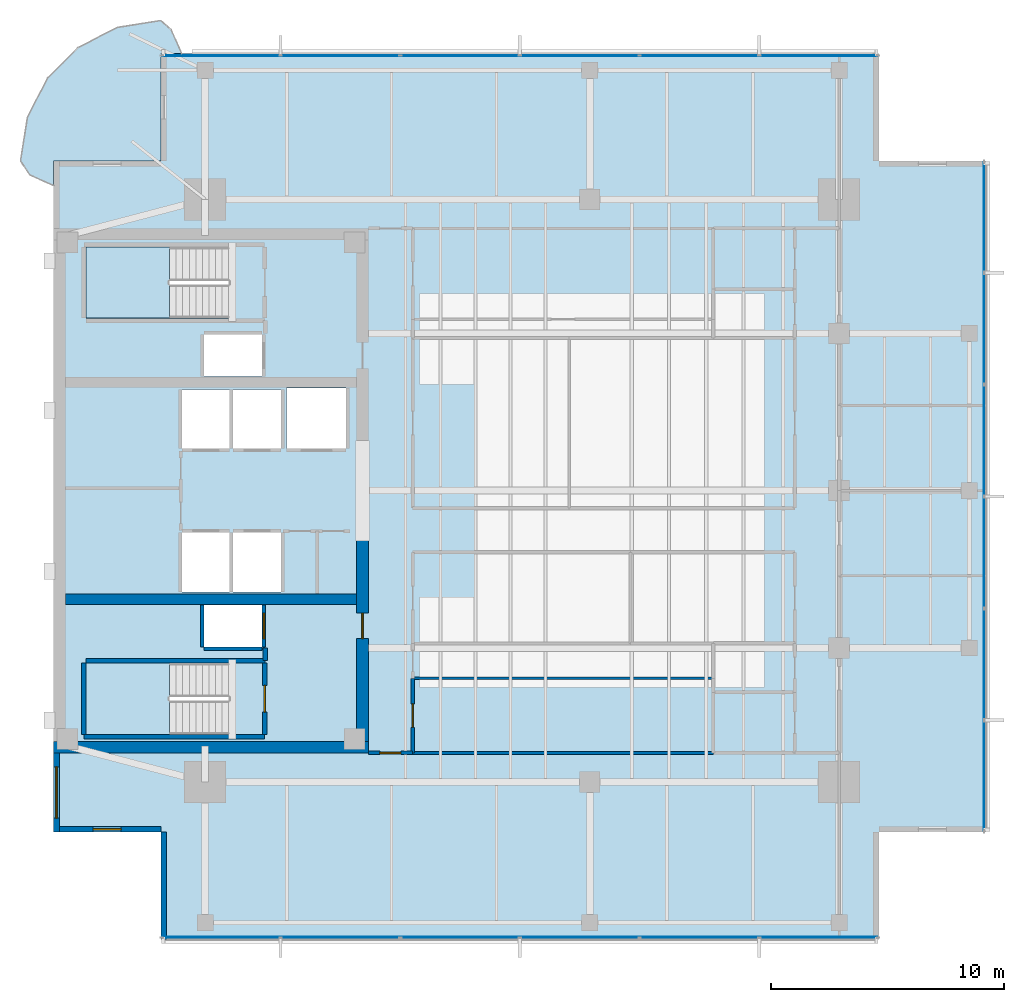
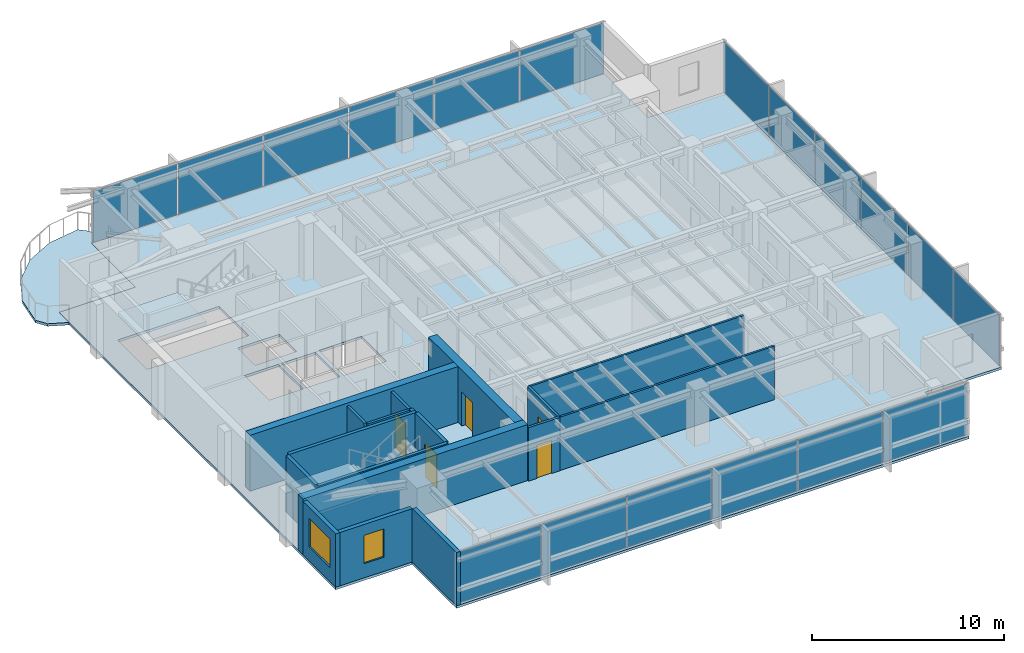
# One storey, part 7 of 14: 18 plates, 18 walls, 5 doors, 4 slabs, 2 windows, 7 openings, 5 elements without a shape of their own.
"""IFC4 building model written with IfcOpenShell, lengths in metres."""

from ifc_helpers import new_model, si_unit, direction, frame, frame_2d, origin, origin_2d, place, context, subcontext, project, spatial, polyline, rectangle, outline, extrude, material, layer, layer_set, type_object, element, fill, aggregate, save


model = new_model("IFC4")

# Units and contexts
model_context = context("Model", 3, precision=1e-05, world=origin(), true_north=direction((0.0, 1.0)))
body_context = subcontext(model_context, "Body", "Model", "MODEL_VIEW")
ifc_project = project(units=[si_unit("LENGTHUNIT", "METRE"), si_unit("AREAUNIT", "SQUARE_METRE"), si_unit("VOLUMEUNIT", "CUBIC_METRE"), si_unit("PLANEANGLEUNIT", "RADIAN"), si_unit("MASSUNIT", "GRAM", prefix="KILO")], contexts=[model_context])

# Site, building, storey
site_placement = place(None, origin())
site = spatial("IfcSite", under=ifc_project, at=site_placement, CompositionType="ELEMENT")
building_placement = place(site_placement, origin())
building = spatial("IfcBuilding", under=site, at=building_placement, Name="Kinhvarn Gate Tower", CompositionType="ELEMENT")
storey_placement = place(building_placement, frame((0.0, 0.0, 249.25)))
storey = spatial("IfcBuildingStorey", under=building, at=storey_placement, Name="L66", CompositionType="ELEMENT", Elevation=249.25)

# Curtain wall, plates
ifc_material_1 = material(Name="Anodised aluminium AW-6063", Category="aluminium")
ifc_layer_1 = layer(ifc_material_1, 0.179931640625)
ifc_layer_set_1 = layer_set([ifc_layer_1], Name="Anodised aluminium AW-6063")
curtain_wall_type = type_object("IfcCurtainWallType", Name="CW-SYS-3", PredefinedType="NOTDEFINED", material=ifc_layer_set_1)
curtain_wall_1_placement = place(storey_placement, origin())
curtain_wall_1 = element("IfcCurtainWall", 1, at=curtain_wall_1_placement, inside=storey, type_object=curtain_wall_type, Name="Curtain Wall CW3 (L66)", PredefinedType="NOTDEFINED")
ifc_material_2 = material(Name="Clear low-e double glazing", Category="glass")
ifc_layer_2 = layer(ifc_material_2, 0.031982421875)
ifc_layer_set_2 = layer_set([ifc_layer_2], Name="Clear low-e double glazing")
plate_type = type_object("IfcPlateType", Name="CW-PNL-VIS", PredefinedType="CURTAIN_PANEL", material=ifc_layer_set_2)
plate_1_placement = place(storey_placement, frame((11.682861328125, 6.090087890625, 0.070068359375), z_axis=(0.0, 0.0, 1.0), x_axis=(1.0, 0.0, 0.0)))
plate_1 = element("IfcPlate", 2, at=plate_1_placement, type_object=plate_type, Name="CW3 panel 1.1", PredefinedType="CURTAIN_PANEL", context=body_context, shape_type="SweptSolid", body=[
    extrude(rectangle(XDim=5.035888671875, YDim=0.031982421875, at=origin_2d()), origin(), (0.0, 0.0, 1.0), 3.25),
])
plate_2_placement = place(storey_placement, frame((16.800048828125, 6.090087890625, 0.070068359375), z_axis=(0.0, 0.0, 1.0), x_axis=(1.0, 0.0, 0.0)))
plate_2 = element("IfcPlate", 3, at=plate_2_placement, type_object=plate_type, Name="CW3 panel 2.1", PredefinedType="CURTAIN_PANEL", context=body_context, shape_type="SweptSolid", body=[
    extrude(rectangle(XDim=5.068359375, YDim=0.031982421875, at=origin_2d()), origin(), (0.0, 0.0, 1.0), 3.25),
])
plate_3_placement = place(storey_placement, frame((21.933349609375, 6.090087890625, 0.070068359375), z_axis=(0.0, 0.0, 1.0), x_axis=(1.0, 0.0, 0.0)))
plate_3 = element("IfcPlate", 4, at=plate_3_placement, type_object=plate_type, Name="CW3 panel 3.1", PredefinedType="CURTAIN_PANEL", context=body_context, shape_type="SweptSolid", body=[
    extrude(rectangle(XDim=5.068359375, YDim=0.031982421875, at=origin_2d()), origin(), (0.0, 0.0, 1.0), 3.25),
])
plate_4_placement = place(storey_placement, frame((27.066650390625, 6.090087890625, 0.070068359375), z_axis=(0.0, 0.0, 1.0), x_axis=(1.0, 0.0, 0.0)))
plate_4 = element("IfcPlate", 5, at=plate_4_placement, type_object=plate_type, Name="CW3 panel 4.1", PredefinedType="CURTAIN_PANEL", context=body_context, shape_type="SweptSolid", body=[
    extrude(rectangle(XDim=5.068359375, YDim=0.031982421875, at=origin_2d()), origin(), (0.0, 0.0, 1.0), 3.25),
])
plate_5_placement = place(storey_placement, frame((32.199951171875, 6.090087890625, 0.070068359375), z_axis=(0.0, 0.0, 1.0), x_axis=(1.0, 0.0, 0.0)))
plate_5 = element("IfcPlate", 6, at=plate_5_placement, type_object=plate_type, Name="CW3 panel 5.1", PredefinedType="CURTAIN_PANEL", context=body_context, shape_type="SweptSolid", body=[
    extrude(rectangle(XDim=5.068359375, YDim=0.031982421875, at=origin_2d()), origin(), (0.0, 0.0, 1.0), 3.25),
])
plate_6_placement = place(storey_placement, frame((37.317138671875, 6.090087890625, 0.070068359375), z_axis=(0.0, 0.0, 1.0), x_axis=(1.0, 0.0, 0.0)))
plate_6 = element("IfcPlate", 7, at=plate_6_placement, type_object=plate_type, Name="CW3 panel 6.1", PredefinedType="CURTAIN_PANEL", context=body_context, shape_type="SweptSolid", body=[
    extrude(rectangle(XDim=5.035888671875, YDim=0.031982421875, at=origin_2d()), origin(), (0.0, 0.0, 1.0), 3.25),
])
aggregate(curtain_wall_1, [plate_1, plate_2, plate_3, plate_4, plate_5, plate_6])

curtain_wall_2_placement = place(storey_placement, origin())
curtain_wall_2 = element("IfcCurtainWall", 8, at=curtain_wall_2_placement, inside=storey, type_object=curtain_wall_type, Name="Curtain Wall CW3 (L66)", PredefinedType="NOTDEFINED")
plate_7_placement = place(storey_placement, frame((37.317138671875, 43.909912109375, 0.070068359375), z_axis=(0.0, 0.0, 1.0), x_axis=(-1.0, 0.0, 0.0)))
plate_7 = element("IfcPlate", 9, at=plate_7_placement, type_object=plate_type, Name="CW3 panel 1.1", PredefinedType="CURTAIN_PANEL", context=body_context, shape_type="SweptSolid", body=[
    extrude(rectangle(XDim=5.035888671875, YDim=0.031982421875, at=origin_2d()), origin(), (0.0, 0.0, 1.0), 3.25),
])
plate_8_placement = place(storey_placement, frame((32.199951171875, 43.909912109375, 0.070068359375), z_axis=(0.0, 0.0, 1.0), x_axis=(-1.0, 0.0, 0.0)))
plate_8 = element("IfcPlate", 10, at=plate_8_placement, type_object=plate_type, Name="CW3 panel 2.1", PredefinedType="CURTAIN_PANEL", context=body_context, shape_type="SweptSolid", body=[
    extrude(rectangle(XDim=5.068359375, YDim=0.031982421875, at=origin_2d()), origin(), (0.0, 0.0, 1.0), 3.25),
])
plate_9_placement = place(storey_placement, frame((27.066650390625, 43.909912109375, 0.070068359375), z_axis=(0.0, 0.0, 1.0), x_axis=(-1.0, 0.0, 0.0)))
plate_9 = element("IfcPlate", 11, at=plate_9_placement, type_object=plate_type, Name="CW3 panel 3.1", PredefinedType="CURTAIN_PANEL", context=body_context, shape_type="SweptSolid", body=[
    extrude(rectangle(XDim=5.068359375, YDim=0.031982421875, at=origin_2d()), origin(), (0.0, 0.0, 1.0), 3.25),
])
plate_10_placement = place(storey_placement, frame((21.933349609375, 43.909912109375, 0.070068359375), z_axis=(0.0, 0.0, 1.0), x_axis=(-1.0, 0.0, 0.0)))
plate_10 = element("IfcPlate", 12, at=plate_10_placement, type_object=plate_type, Name="CW3 panel 4.1", PredefinedType="CURTAIN_PANEL", context=body_context, shape_type="SweptSolid", body=[
    extrude(rectangle(XDim=5.068359375, YDim=0.031982421875, at=origin_2d()), origin(), (0.0, 0.0, 1.0), 3.25),
])
plate_11_placement = place(storey_placement, frame((16.800048828125, 43.909912109375, 0.070068359375), z_axis=(0.0, 0.0, 1.0), x_axis=(-1.0, 0.0, 0.0)))
plate_11 = element("IfcPlate", 13, at=plate_11_placement, type_object=plate_type, Name="CW3 panel 5.1", PredefinedType="CURTAIN_PANEL", context=body_context, shape_type="SweptSolid", body=[
    extrude(rectangle(XDim=5.068359375, YDim=0.031982421875, at=origin_2d()), origin(), (0.0, 0.0, 1.0), 3.25),
])
plate_12_placement = place(storey_placement, frame((11.682861328125, 43.909912109375, 0.070068359375), z_axis=(0.0, 0.0, 1.0), x_axis=(-1.0, 0.0, 0.0)))
plate_12 = element("IfcPlate", 14, at=plate_12_placement, type_object=plate_type, Name="CW3 panel 6.1", PredefinedType="CURTAIN_PANEL", context=body_context, shape_type="SweptSolid", body=[
    extrude(rectangle(XDim=5.035888671875, YDim=0.031982421875, at=origin_2d()), origin(), (0.0, 0.0, 1.0), 3.25),
])
aggregate(curtain_wall_2, [plate_7, plate_8, plate_9, plate_10, plate_11, plate_12])

curtain_wall_3_placement = place(storey_placement, origin())
curtain_wall_3 = element("IfcCurtainWall", 15, at=curtain_wall_3_placement, inside=storey, type_object=curtain_wall_type, Name="Curtain Wall CW3 (L66)", PredefinedType="NOTDEFINED")
plate_13_placement = place(storey_placement, frame((44.409912109375, 13.016357421875, 0.070068359375), z_axis=(0.0, 0.0, 1.0), x_axis=(0.0, 1.0, 0.0)))
plate_13 = element("IfcPlate", 16, at=plate_13_placement, type_object=plate_type, Name="CW3 panel 1.1", PredefinedType="CURTAIN_PANEL", context=body_context, shape_type="SweptSolid", body=[
    extrude(rectangle(XDim=4.702392578125, YDim=0.031982421875, at=origin_2d()), origin(), (0.0, 0.0, 1.0), 3.25),
])
plate_14_placement = place(storey_placement, frame((44.409912109375, 17.800048828125, 0.070068359375), z_axis=(0.0, 0.0, 1.0), x_axis=(0.0, 1.0, 0.0)))
plate_14 = element("IfcPlate", 17, at=plate_14_placement, type_object=plate_type, Name="CW3 panel 2.1", PredefinedType="CURTAIN_PANEL", context=body_context, shape_type="SweptSolid", body=[
    extrude(rectangle(XDim=4.735107421875, YDim=0.031982421875, at=origin_2d()), origin(), (0.0, 0.0, 1.0), 3.25),
])
plate_15_placement = place(storey_placement, frame((44.409912109375, 22.60009765625, 0.070068359375), z_axis=(0.0, 0.0, 1.0), x_axis=(0.0, 1.0, 0.0)))
plate_15 = element("IfcPlate", 18, at=plate_15_placement, type_object=plate_type, Name="CW3 panel 3.1", PredefinedType="CURTAIN_PANEL", context=body_context, shape_type="SweptSolid", body=[
    extrude(rectangle(XDim=4.735107421875, YDim=0.031982421875, at=origin_2d()), origin(), (0.0, 0.0, 1.0), 3.25),
])
plate_16_placement = place(storey_placement, frame((44.409912109375, 27.39990234375, 0.070068359375), z_axis=(0.0, 0.0, 1.0), x_axis=(0.0, 1.0, 0.0)))
plate_16 = element("IfcPlate", 19, at=plate_16_placement, type_object=plate_type, Name="CW3 panel 4.1", PredefinedType="CURTAIN_PANEL", context=body_context, shape_type="SweptSolid", body=[
    extrude(rectangle(XDim=4.735107421875, YDim=0.031982421875, at=origin_2d()), origin(), (0.0, 0.0, 1.0), 3.25),
])
plate_17_placement = place(storey_placement, frame((44.409912109375, 32.199951171875, 0.070068359375), z_axis=(0.0, 0.0, 1.0), x_axis=(0.0, 1.0, 0.0)))
plate_17 = element("IfcPlate", 20, at=plate_17_placement, type_object=plate_type, Name="CW3 panel 5.1", PredefinedType="CURTAIN_PANEL", context=body_context, shape_type="SweptSolid", body=[
    extrude(rectangle(XDim=4.735107421875, YDim=0.031982421875, at=origin_2d()), origin(), (0.0, 0.0, 1.0), 3.25),
])
plate_18_placement = place(storey_placement, frame((44.409912109375, 36.983642578125, 0.070068359375), z_axis=(0.0, 0.0, 1.0), x_axis=(0.0, 1.0, 0.0)))
plate_18 = element("IfcPlate", 21, at=plate_18_placement, type_object=plate_type, Name="CW3 panel 6.1", PredefinedType="CURTAIN_PANEL", context=body_context, shape_type="SweptSolid", body=[
    extrude(rectangle(XDim=4.702392578125, YDim=0.031982421875, at=origin_2d()), origin(), (0.0, 0.0, 1.0), 3.25),
])
aggregate(curtain_wall_3, [plate_13, plate_14, plate_15, plate_16, plate_17, plate_18])

# Slabs
ifc_material_3 = material(Name="Precast white architectural concrete C40/50", Category="concrete")
ifc_layer_3 = layer(ifc_material_3, 0.159912109375)
ifc_layer_set_3 = layer_set([ifc_layer_3], Name="Precast white architectural concrete C40/50")
slab_type_1 = type_object("IfcSlabType", Name="SLB-BAL-160", PredefinedType="FLOOR", material=ifc_layer_set_3)
slab_1_placement = place(storey_placement, frame((0.0, 0.0, -0.159912109375)))
element("IfcSlab", 22, at=slab_1_placement, inside=storey, type_object=slab_type_1, Name="S-Carve Curved Terrace Balcony Slab L66 (NW)", PredefinedType="FLOOR", context=body_context, shape_type="SweptSolid", body=[
    extrude(outline(polyline([(9.991943359375, 44.0), (9.5419921875, 45.02099609375), (9.10009765625, 45.41796875), (7.240234375, 45.12353515625), (5.562744140625, 44.268798828125), (4.231201171875, 42.937255859375), (3.37646484375, 41.259765625), (3.08203125, 39.39990234375), (3.47900390625, 38.794921875), (4.5, 38.344970703125), (4.5, 39.39990234375), (9.10009765625, 39.39990234375), (9.10009765625, 44.0), (9.991943359375, 44.0)])), origin(), (0.0, 0.0, 1.0), 0.159912109375),
])
ifc_material_4 = material(Name="Concrete C40/50", Category="concrete")
ifc_layer_4 = layer(ifc_material_4, 0.159912109375)
ifc_layer_set_4 = layer_set([ifc_layer_4], Name="Concrete C40/50")
slab_type_2 = type_object("IfcSlabType", Name="SLB-FLR-160", PredefinedType="FLOOR", material=ifc_layer_set_4)
slab_2_placement = place(storey_placement, frame((0.0, 0.0, -0.159912109375)))
element("IfcSlab", 23, at=slab_2_placement, inside=storey, type_object=slab_type_2, Name="Suspended Floor Slab L66", PredefinedType="FLOOR", context=body_context, shape_type="SweptSolid", body=[
    extrude(outline(polyline([(9.10009765625, 6.0), (39.89990234375, 6.0), (39.89990234375, 10.60009765625), (44.5, 10.60009765625), (44.5, 39.39990234375), (39.89990234375, 39.39990234375), (39.89990234375, 44.0), (9.10009765625, 44.0), (9.10009765625, 39.39990234375), (4.5, 39.39990234375), (4.5, 10.60009765625), (9.10009765625, 10.60009765625), (9.10009765625, 6.0)]), holes=[polyline([(5.89990234375, 14.800048828125), (12.0, 14.800048828125), (12.0, 17.85009765625), (5.89990234375, 17.85009765625), (5.89990234375, 14.800048828125)]), polyline([(5.89990234375, 32.64990234375), (12.0, 32.64990234375), (12.0, 35.699951171875), (5.89990234375, 35.699951171875), (5.89990234375, 32.64990234375)]), polyline([(10.0, 20.89990234375), (12.050048828125, 20.89990234375), (12.050048828125, 23.449951171875), (10.0, 23.449951171875), (10.0, 20.89990234375)]), polyline([(12.199951171875, 20.89990234375), (14.25, 20.89990234375), (14.25, 23.449951171875), (12.199951171875, 23.449951171875), (12.199951171875, 20.89990234375)]), polyline([(10.0, 27.050048828125), (12.050048828125, 27.050048828125), (12.050048828125, 29.60009765625), (10.0, 29.60009765625), (10.0, 27.050048828125)]), polyline([(12.199951171875, 27.050048828125), (14.25, 27.050048828125), (14.25, 29.60009765625), (12.199951171875, 29.60009765625), (12.199951171875, 27.050048828125)]), polyline([(14.5, 27.050048828125), (17.050048828125, 27.050048828125), (17.050048828125, 29.64990234375), (14.5, 29.64990234375), (14.5, 27.050048828125)]), polyline([(10.949951171875, 18.550048828125), (13.449951171875, 18.550048828125), (13.449951171875, 20.35009765625), (10.949951171875, 20.35009765625), (10.949951171875, 18.550048828125)]), polyline([(10.949951171875, 30.14990234375), (13.449951171875, 30.14990234375), (13.449951171875, 31.949951171875), (10.949951171875, 31.949951171875), (10.949951171875, 30.14990234375)])]), origin(), (0.0, 0.0, 1.0), 0.159912109375),
])

# Stair, slab
stair_type = type_object("IfcStairType", Name="STR-DLG-178", PredefinedType="HALF_TURN_STAIR", material=ifc_material_4)
stair_1_placement = place(storey_placement, origin())
stair_1 = element("IfcStair", 24, at=stair_1_placement, inside=storey, type_object=stair_type, Name="L66 Core Smokeproof Exit Stair ST1", PredefinedType="HALF_TURN_STAIR")
ifc_layer_5 = layer(ifc_material_4, 0.199951171875)
ifc_layer_set_5 = layer_set([ifc_layer_5], Name="Concrete C40/50")
slab_type_3 = type_object("IfcSlabType", Name="SLB-ST-LND", PredefinedType="LANDING", material=ifc_layer_set_5)
slab_3_placement = place(storey_placement, frame((0.0, 0.0, 1.574951171875)))
slab_3 = element("IfcSlab", 25, at=slab_3_placement, type_object=slab_type_3, Name="ST1 landing 1", PredefinedType="LANDING", context=body_context, shape_type="SweptSolid", body=[
    extrude(outline(polyline([(9.47998046875, 17.85009765625), (5.89990234375, 17.85009765625), (5.89990234375, 14.800048828125), (9.47998046875, 14.800048828125), (9.47998046875, 17.85009765625)])), origin(), (0.0, 0.0, 1.0), 0.199951171875),
])
aggregate(stair_1, [slab_3])

stair_2_placement = place(storey_placement, origin())
stair_2 = element("IfcStair", 26, at=stair_2_placement, inside=storey, type_object=stair_type, Name="L66 Core Smokeproof Exit Stair ST2", PredefinedType="HALF_TURN_STAIR")
slab_4_placement = place(storey_placement, frame((0.0, 0.0, 1.574951171875)))
slab_4 = element("IfcSlab", 27, at=slab_4_placement, type_object=slab_type_3, Name="ST2 landing 1", PredefinedType="LANDING", context=body_context, shape_type="SweptSolid", body=[
    extrude(outline(polyline([(9.47998046875, 35.699951171875), (5.89990234375, 35.699951171875), (5.89990234375, 32.64990234375), (9.47998046875, 32.64990234375), (9.47998046875, 35.699951171875)])), origin(), (0.0, 0.0, 1.0), 0.199951171875),
])
aggregate(stair_2, [slab_4])

# Walls
ifc_material_5 = material(Name="Concrete C50/60", Category="concrete")
ifc_layer_6 = layer(ifc_material_5, 0.449951171875)
ifc_layer_set_6 = layer_set([ifc_layer_6], Name="Concrete C50/60")
wall_type_1 = type_object("IfcWallType", Name="WL-CORE-450", PredefinedType="SHEAR", material=ifc_layer_set_6)
wall_1_placement = place(storey_placement, frame((5.0, 20.60009765625, 0.0), z_axis=(0.0, 0.0, 1.0), x_axis=(1.0, 0.0, 0.0)))
element("IfcWall", 28, at=wall_1_placement, inside=storey, type_object=wall_type_1, Name="Core South Spine Shear Wall L66 450 mm", PredefinedType="SHEAR", context=body_context, shape_type="SweptSolid", body=[
    extrude(rectangle(XDim=12.5, YDim=0.449951171875, at=frame_2d((6.25, 0.0))), origin(), (0.0, 0.0, 1.0), 3.550048828125),
])
ifc_layer_7 = layer(ifc_material_5, 0.5)
ifc_layer_set_7 = layer_set([ifc_layer_7], Name="Concrete C50/60")
wall_type_2 = type_object("IfcWallType", Name="WL-CORE-500", PredefinedType="SHEAR", material=ifc_layer_set_7)
wall_2_placement = place(storey_placement, frame((4.5, 14.25, 0.0), z_axis=(0.0, 0.0, 1.0), x_axis=(1.0, 0.0, 0.0)))
element("IfcWall", 29, at=wall_2_placement, inside=storey, type_object=wall_type_2, Name="Core South Shear Wall L66 500 mm", PredefinedType="SHEAR", context=body_context, shape_type="SweptSolid", body=[
    extrude(rectangle(XDim=13.5, YDim=0.5, at=frame_2d((6.75, 0.0))), origin(), (0.0, 0.0, 1.0), 3.550048828125),
])

# Wall, opening, door
wall_3_placement = place(storey_placement, frame((17.75, 14.5, 0.0), z_axis=(0.0, 0.0, 1.0), x_axis=(0.0, 1.0, 0.0)))
wall_3 = element("IfcWall", 30, at=wall_3_placement, inside=storey, type_object=wall_type_2, Name="Core East-South Shear Pier L66 500 mm", PredefinedType="SHEAR", context=body_context, shape_type="SweptSolid", body=[
    extrude(rectangle(XDim=8.949951171875, YDim=0.5, at=frame_2d((4.47509765625, 0.0))), origin(), (0.0, 0.0, 1.0), 3.550048828125),
])
opening_1_placement = place(wall_3_placement, frame((4.39990234375, 0.0, 0.0)))
opening_1 = element("IfcOpeningElement", 31, at=opening_1_placement, cuts=wall_3, Name="Opening FD-02", PredefinedType="OPENING", context=body_context, shape_type="SweptSolid", body=[
    extrude(rectangle(XDim=1.10009765625, YDim=2.14990234375, at=frame_2d((0.550048828125, 1.074951171875))), frame((0.0, 0.260009765625, 0.0), z_axis=(0.0, -1.0, 0.0), x_axis=(1.0, 0.0, 0.0)), (0.0, 0.0, 1.0), 0.52001953125),
])
door_type_1 = type_object("IfcDoorType", Name="DR-FD-1100", OperationType="NOTDEFINED", PredefinedType="DOOR", material=ifc_material_1)
door_1_placement = place(opening_1_placement, origin())
door_1 = element("IfcDoor", 32, at=door_1_placement, inside=storey, type_object=door_type_1, Name="Firefighting Lobby Core Door (L66)", OperationType="SINGLE_SWING_RIGHT", OverallHeight=2.14990234375, OverallWidth=1.10009765625, PredefinedType="DOOR", context=body_context, shape_type="SweptSolid", body=[
    extrude(rectangle(XDim=1.10009765625, YDim=2.14990234375, at=frame_2d((0.550048828125, 1.074951171875))), frame((0.0, 0.02490234375, 0.0), z_axis=(0.0, -1.0, 0.0), x_axis=(1.0, 0.0, 0.0)), (0.0, 0.0, 1.0), 0.050048828125),
])
fill(opening_1, door_1)

# Wall, opening, window
ifc_material_6 = material(Name="Fired architectural terracotta", Category="masonry")
ifc_layer_8 = layer(ifc_material_6, 0.25)
ifc_layer_set_8 = layer_set([ifc_layer_8], Name="Fired architectural terracotta")
wall_type_3 = type_object("IfcWallType", Name="WL-EXT-250", PredefinedType="SOLIDWALL", material=ifc_layer_set_8)
wall_4_placement = place(storey_placement, frame((4.625, 14.0, 0.0), z_axis=(0.0, 0.0, 1.0), x_axis=(0.0, -1.0, 0.0)))
wall_4 = element("IfcWall", 33, at=wall_4_placement, inside=storey, type_object=wall_type_3, Name="Exterior Solidwall Wall EW-250 (L66 West-South)", PredefinedType="SOLIDWALL", context=body_context, shape_type="SweptSolid", body=[
    extrude(rectangle(XDim=3.39990234375, YDim=0.25, at=frame_2d((1.699951171875, 0.0))), origin(), (0.0, 0.0, 1.0), 3.389892578125),
])
opening_2_placement = place(wall_4_placement, frame((0.60009765625, 0.0, 0.89990234375)))
opening_2 = element("IfcOpeningElement", 34, at=opening_2_placement, cuts=wall_4, Name="Opening WN-01", PredefinedType="OPENING", context=body_context, shape_type="SweptSolid", body=[
    extrude(rectangle(XDim=2.199951171875, YDim=1.800048828125, at=frame_2d((1.10009765625, 0.89990234375))), frame((0.0, 0.135009765625, 0.0), z_axis=(0.0, -1.0, 0.0), x_axis=(1.0, 0.0, 0.0)), (0.0, 0.0, 1.0), 0.27001953125),
])
window_type_1 = type_object("IfcWindowType", Name="WIN-RIB-2200", PartitioningType="SINGLE_PANEL", PredefinedType="WINDOW", material=ifc_material_2)
window_1_placement = place(opening_2_placement, origin())
window_1 = element("IfcWindow", 35, at=window_1_placement, inside=storey, type_object=window_type_1, Name="West Flank Double-Glazed Ribbon Window 2200x1800 mm (L66)", OverallHeight=1.800048828125, OverallWidth=2.199951171875, PartitioningType="SINGLE_PANEL", PredefinedType="WINDOW", context=body_context, shape_type="SweptSolid", body=[
    extrude(rectangle(XDim=2.199951171875, YDim=1.800048828125, at=frame_2d((1.10009765625, 0.89990234375))), frame((0.0, 0.030029296875, 0.0), z_axis=(0.0, -1.0, 0.0), x_axis=(1.0, 0.0, 0.0)), (0.0, 0.0, 1.0), 0.06005859375),
])
fill(opening_2, window_1)

wall_5_placement = place(storey_placement, frame((4.5, 10.72509765625, 0.0), z_axis=(0.0, 0.0, 1.0), x_axis=(1.0, 0.0, 0.0)))
wall_5 = element("IfcWall", 36, at=wall_5_placement, inside=storey, type_object=wall_type_3, Name="Exterior Solidwall Wall EW-250 (L66 SW-Notch-1)", PredefinedType="SOLIDWALL", context=body_context, shape_type="SweptSolid", body=[
    extrude(rectangle(XDim=4.60009765625, YDim=0.25, at=frame_2d((2.300048828125, 0.0))), origin(), (0.0, 0.0, 1.0), 3.389892578125),
])
opening_3_placement = place(wall_5_placement, frame((1.699951171875, 0.0, 0.89990234375)))
opening_3 = element("IfcOpeningElement", 37, at=opening_3_placement, cuts=wall_5, Name="Opening WN-02", PredefinedType="OPENING", context=body_context, shape_type="SweptSolid", body=[
    extrude(rectangle(XDim=1.199951171875, YDim=1.800048828125, at=frame_2d((0.60009765625, 0.89990234375))), frame((0.0, 0.135009765625, 0.0), z_axis=(0.0, -1.0, 0.0), x_axis=(1.0, 0.0, 0.0)), (0.0, 0.0, 1.0), 0.27001953125),
])
window_type_2 = type_object("IfcWindowType", Name="WIN-NTC-1200", PartitioningType="SINGLE_PANEL", PredefinedType="WINDOW", material=ifc_material_2)
window_2_placement = place(opening_3_placement, origin())
window_2 = element("IfcWindow", 38, at=window_2_placement, inside=storey, type_object=window_type_2, Name="Recessed Corner Notch Punched Window 1200x1800 mm (L66)", OverallHeight=1.800048828125, OverallWidth=1.199951171875, PartitioningType="SINGLE_PANEL", PredefinedType="WINDOW", context=body_context, shape_type="SweptSolid", body=[
    extrude(rectangle(XDim=1.199951171875, YDim=1.800048828125, at=frame_2d((0.60009765625, 0.89990234375))), frame((0.0, 0.030029296875, 0.0), z_axis=(0.0, -1.0, 0.0), x_axis=(1.0, 0.0, 0.0)), (0.0, 0.0, 1.0), 0.06005859375),
])
fill(opening_3, window_2)

# Walls
wall_6_placement = place(storey_placement, frame((9.22509765625, 10.60009765625, 0.0), z_axis=(0.0, 0.0, 1.0), x_axis=(0.0, -1.0, 0.0)))
element("IfcWall", 39, at=wall_6_placement, inside=storey, type_object=wall_type_3, Name="Exterior Solidwall Wall EW-250 (L66 SW-Notch-2)", PredefinedType="SOLIDWALL", context=body_context, shape_type="SweptSolid", body=[
    extrude(rectangle(XDim=4.60009765625, YDim=0.25, at=frame_2d((2.300048828125, 0.0))), origin(), (0.0, 0.0, 1.0), 3.389892578125),
])
ifc_material_7 = material(Name="Gypsum acoustic partition board")
ifc_layer_9 = layer(ifc_material_7, 0.1201171875)
ifc_layer_set_9 = layer_set([ifc_layer_9], Name="Gypsum acoustic partition board")
wall_type_4 = type_object("IfcWallType", Name="WL-PRT-120", PredefinedType="PARTITIONING", material=ifc_layer_set_9)
for number, where, z_axis, x_axis, name in (
    (40, (19.89990234375, 17.199951171875, 0.0), (0.0, 0.0, 1.0), (1.0, 0.0, 0.0), "Interior Partition PW-120 (L66)"),
    (41, (19.89990234375, 14.0, 0.0), (0.0, 0.0, 1.0), (1.0, 0.0, 0.0), "Interior Partition PW-120 (L66)"),
):
    element("IfcWall", number, at=place(storey_placement, frame(where, z_axis=z_axis, x_axis=x_axis)), inside=storey, type_object=wall_type_4, Name=name, PredefinedType="PARTITIONING", context=body_context, shape_type="SweptSolid", body=[
        extrude(rectangle(XDim=12.900146484375, YDim=0.1201171875, at=frame_2d((6.4501953125, 0.0))), origin(), (0.0, 0.0, 1.0), 3.389892578125),
    ])

# Wall, opening, door
ifc_layer_10 = layer(ifc_material_7, 0.14990234375)
ifc_layer_set_10 = layer_set([ifc_layer_10], Name="Gypsum acoustic partition board")
wall_type_5 = type_object("IfcWallType", Name="WL-PRT-150F", PredefinedType="PARTITIONING", material=ifc_layer_set_10)
wall_7_placement = place(storey_placement, frame((19.89990234375, 14.0, 0.0), z_axis=(0.0, 0.0, 1.0), x_axis=(0.0, 1.0, 0.0)))
wall_7 = element("IfcWall", 42, at=wall_7_placement, inside=storey, type_object=wall_type_5, Name="Interior Partition PW-150F (L66)", PredefinedType="PARTITIONING", context=body_context, shape_type="SweptSolid", body=[
    extrude(rectangle(XDim=3.199951171875, YDim=0.14990234375, at=frame_2d((1.60009765625, 0.0))), origin(), (0.0, 0.0, 1.0), 3.389892578125),
])
opening_4_placement = place(wall_7_placement, frame((1.10009765625, 0.0, 0.0)))
opening_4 = element("IfcOpeningElement", 43, at=opening_4_placement, cuts=wall_7, Name="Opening ID-02", PredefinedType="OPENING", context=body_context, shape_type="SweptSolid", body=[
    extrude(rectangle(XDim=1.0, YDim=2.14990234375, at=frame_2d((0.5, 1.074951171875))), frame((0.0, 0.0849609375, 0.0), z_axis=(0.0, -1.0, 0.0), x_axis=(1.0, 0.0, 0.0)), (0.0, 0.0, 1.0), 0.169921875),
])
door_type_2 = type_object("IfcDoorType", Name="DR-INT-1000", OperationType="NOTDEFINED", PredefinedType="DOOR", material=ifc_material_1)
door_2_placement = place(opening_4_placement, origin())
door_2 = element("IfcDoor", 44, at=door_2_placement, inside=storey, type_object=door_type_2, Name="Standard Office & Meeting Room Door 1000x2150 mm (L66)", OperationType="SINGLE_SWING_RIGHT", OverallHeight=2.14990234375, OverallWidth=1.0, PredefinedType="DOOR", context=body_context, shape_type="SweptSolid", body=[
    extrude(rectangle(XDim=1.0, YDim=2.14990234375, at=frame_2d((0.5, 1.074951171875))), frame((0.0, 0.02490234375, 0.0), z_axis=(0.0, -1.0, 0.0), x_axis=(1.0, 0.0, 0.0)), (0.0, 0.0, 1.0), 0.050048828125),
])
fill(opening_4, door_2)

wall_8_placement = place(storey_placement, frame((18.0, 14.0, 0.0), z_axis=(0.0, 0.0, 1.0), x_axis=(1.0, 0.0, 0.0)))
wall_8 = element("IfcWall", 45, at=wall_8_placement, inside=storey, type_object=wall_type_5, Name="Interior Partition PW-150F (L66)", PredefinedType="PARTITIONING", context=body_context, shape_type="SweptSolid", body=[
    extrude(rectangle(XDim=1.89990234375, YDim=0.14990234375, at=frame_2d((0.949951171875, 0.0))), origin(), (0.0, 0.0, 1.0), 3.389892578125),
])
opening_5_placement = place(wall_8_placement, frame((0.5, 0.0, 0.0)))
opening_5 = element("IfcOpeningElement", 46, at=opening_5_placement, cuts=wall_8, Name="Opening ID-03", PredefinedType="OPENING", context=body_context, shape_type="SweptSolid", body=[
    extrude(rectangle(XDim=0.89990234375, YDim=2.10009765625, at=frame_2d((0.449951171875, 1.050048828125))), frame((0.0, 0.0849609375, 0.0), z_axis=(0.0, -1.0, 0.0), x_axis=(1.0, 0.0, 0.0)), (0.0, 0.0, 1.0), 0.169921875),
])
door_type_3 = type_object("IfcDoorType", Name="DR-INT-900", OperationType="NOTDEFINED", PredefinedType="DOOR", material=ifc_material_1)
door_3_placement = place(opening_5_placement, origin())
door_3 = element("IfcDoor", 47, at=door_3_placement, inside=storey, type_object=door_type_3, Name="Cellular Office & Restroom Door 900x2100 mm (L66)", OperationType="SINGLE_SWING_LEFT", OverallHeight=2.10009765625, OverallWidth=0.89990234375, PredefinedType="DOOR", context=body_context, shape_type="SweptSolid", body=[
    extrude(rectangle(XDim=0.89990234375, YDim=2.10009765625, at=frame_2d((0.449951171875, 1.050048828125))), frame((0.0, 0.02490234375, 0.0), z_axis=(0.0, -1.0, 0.0), x_axis=(1.0, 0.0, 0.0)), (0.0, 0.0, 1.0), 0.050048828125),
])
fill(opening_5, door_3)

# Walls
ifc_layer_11 = layer(ifc_material_7, 0.199951171875)
ifc_layer_set_11 = layer_set([ifc_layer_11], Name="Gypsum acoustic partition board")
wall_type_6 = type_object("IfcWallType", Name="WL-PRT-200", PredefinedType="PARTITIONING", material=ifc_layer_set_11)
wall_9_placement = place(storey_placement, frame((13.580078125, 17.9599609375, 0.0), z_axis=(0.0, 0.0, 1.0), x_axis=(0.0, 1.0, 0.0)))
element("IfcWall", 48, at=wall_9_placement, inside=storey, type_object=wall_type_6, Name="Interior Partition PW-200 (L66)", PredefinedType="PARTITIONING", context=body_context, shape_type="SweptSolid", body=[
    extrude(rectangle(XDim=0.5400390625, YDim=0.199951171875, at=frame_2d((0.27001953125, 0.0))), origin(), (0.0, 0.0, 1.0), 3.389892578125),
])
ifc_layer_12 = layer(ifc_material_7, 0.14990234375)
ifc_layer_set_12 = layer_set([ifc_layer_12], Name="Gypsum acoustic partition board")
wall_type_7 = type_object("IfcWallType", Name="WL-SHF-150", PredefinedType="PARTITIONING", material=ifc_layer_set_12)
wall_10_placement = place(storey_placement, frame((10.949951171875, 18.47509765625, 0.0), z_axis=(0.0, 0.0, 1.0), x_axis=(1.0, 0.0, 0.0)))
element("IfcWall", 49, at=wall_10_placement, inside=storey, type_object=wall_type_7, Name="Elevator FF1 Hoistway Wall S (L66)", PredefinedType="PARTITIONING", context=body_context, shape_type="SweptSolid", body=[
    extrude(rectangle(XDim=2.5, YDim=0.14990234375, at=frame_2d((1.25, 0.0))), origin(), (0.0, 0.0, 1.0), 3.389892578125),
])
wall_11_placement = place(storey_placement, frame((10.875, 18.550048828125, 0.0), z_axis=(0.0, 0.0, 1.0), x_axis=(0.0, 1.0, 0.0)))
element("IfcWall", 50, at=wall_11_placement, inside=storey, type_object=wall_type_7, Name="Elevator FF1 Hoistway Wall W (L66)", PredefinedType="PARTITIONING", context=body_context, shape_type="SweptSolid", body=[
    extrude(rectangle(XDim=1.800048828125, YDim=0.14990234375, at=frame_2d((0.89990234375, 0.0))), origin(), (0.0, 0.0, 1.0), 3.389892578125),
])

# Wall, opening, door
wall_12_placement = place(storey_placement, frame((13.52490234375, 18.550048828125, 0.0), z_axis=(0.0, 0.0, 1.0), x_axis=(0.0, 1.0, 0.0)))
wall_12 = element("IfcWall", 51, at=wall_12_placement, inside=storey, type_object=wall_type_7, Name="Elevator FF1 Landing Wall (L66)", PredefinedType="PARTITIONING", context=body_context, shape_type="SweptSolid", body=[
    extrude(rectangle(XDim=1.800048828125, YDim=0.14990234375, at=frame_2d((0.89990234375, 0.0))), origin(), (0.0, 0.0, 1.0), 3.389892578125),
])
opening_6_placement = place(wall_12_placement, frame((0.35009765625, 0.0, 0.0)))
opening_6 = element("IfcOpeningElement", 52, at=opening_6_placement, cuts=wall_12, Name="Opening LD-03", PredefinedType="OPENING", context=body_context, shape_type="SweptSolid", body=[
    extrude(rectangle(XDim=1.10009765625, YDim=2.199951171875, at=frame_2d((0.550048828125, 1.10009765625))), frame((0.0, 0.0849609375, 0.0), z_axis=(0.0, -1.0, 0.0), x_axis=(1.0, 0.0, 0.0)), (0.0, 0.0, 1.0), 0.169921875),
])
door_type_4 = type_object("IfcDoorType", Name="DR-LND-FF", OperationType="NOTDEFINED", PredefinedType="DOOR", material=ifc_material_1)
door_4_placement = place(opening_6_placement, origin())
door_4 = element("IfcDoor", 53, at=door_4_placement, inside=storey, type_object=door_type_4, Name="Elevator FF1 Sliding Landing Door (L66)", OperationType="DOUBLE_DOOR_SLIDING", OverallHeight=2.199951171875, OverallWidth=1.10009765625, PredefinedType="DOOR", context=body_context, shape_type="SweptSolid", body=[
    extrude(rectangle(XDim=1.10009765625, YDim=2.199951171875, at=frame_2d((0.550048828125, 1.10009765625))), frame((0.0, 0.02490234375, 0.0), z_axis=(0.0, -1.0, 0.0), x_axis=(1.0, 0.0, 0.0)), (0.0, 0.0, 1.0), 0.050048828125),
])
fill(opening_6, door_4)

# Walls
ifc_layer_13 = layer(ifc_material_4, 0.199951171875)
ifc_layer_set_13 = layer_set([ifc_layer_13], Name="Concrete C40/50")
wall_type_8 = type_object("IfcWallType", Name="WL-SHF-200", PredefinedType="SOLIDWALL", material=ifc_layer_set_13)
wall_13_placement = place(storey_placement, frame((5.800048828125, 14.699951171875, 0.0), z_axis=(0.0, 0.0, 1.0), x_axis=(1.0, 0.0, 0.0)))
element("IfcWall", 54, at=wall_13_placement, inside=storey, type_object=wall_type_8, Name="Stair ST1 South Shaft Wall (L66)", PredefinedType="SOLIDWALL", context=body_context, shape_type="SweptSolid", body=[
    extrude(rectangle(XDim=7.75, YDim=0.199951171875, at=frame_2d((3.875, 0.0))), origin(), (0.0, 0.0, 1.0), 3.550048828125),
])
wall_14_placement = place(storey_placement, frame((5.7900390625, 14.800048828125, 0.0), z_axis=(0.0, 0.0, 1.0), x_axis=(0.0, 1.0, 0.0)))
element("IfcWall", 55, at=wall_14_placement, inside=storey, type_object=wall_type_8, Name="Stair ST1 West Shaft Wall (L66)", PredefinedType="SOLIDWALL", context=body_context, shape_type="SweptSolid", body=[
    extrude(rectangle(XDim=3.050048828125, YDim=0.199951171875, at=frame_2d((1.52490234375, 0.0))), origin(), (0.0, 0.0, 1.0), 3.550048828125),
])
wall_15_placement = place(storey_placement, frame((5.89990234375, 17.9599609375, 0.0), z_axis=(0.0, 0.0, 1.0), x_axis=(1.0, 0.0, 0.0)))
element("IfcWall", 56, at=wall_15_placement, inside=storey, type_object=wall_type_8, Name="Stair ST1 North Shaft Wall (L66)", PredefinedType="SOLIDWALL", context=body_context, shape_type="SweptSolid", body=[
    extrude(rectangle(XDim=7.66015625, YDim=0.199951171875, at=frame_2d((3.830078125, 0.0))), origin(), (0.0, 0.0, 1.0), 3.550048828125),
])

# Wall, opening, door
wall_16_placement = place(storey_placement, frame((13.56005859375, 14.800048828125, 0.0), z_axis=(0.0, 0.0, 1.0), x_axis=(0.0, 1.0, 0.0)))
wall_16 = element("IfcWall", 57, at=wall_16_placement, inside=storey, type_object=wall_type_8, Name="Stair ST1 East Entry Wall (L66)", PredefinedType="SOLIDWALL", context=body_context, shape_type="SweptSolid", body=[
    extrude(rectangle(XDim=3.050048828125, YDim=0.199951171875, at=frame_2d((1.52490234375, 0.0))), origin(), (0.0, 0.0, 1.0), 3.550048828125),
])
opening_7_placement = place(wall_16_placement, frame((0.949951171875, 0.0, 0.0)))
opening_7 = element("IfcOpeningElement", 58, at=opening_7_placement, cuts=wall_16, Name="Opening FD-01", PredefinedType="OPENING", context=body_context, shape_type="SweptSolid", body=[
    extrude(rectangle(XDim=1.14990234375, YDim=2.14990234375, at=frame_2d((0.574951171875, 1.074951171875))), frame((0.0, 0.10986328125, 0.0), z_axis=(0.0, -1.0, 0.0), x_axis=(1.0, 0.0, 0.0)), (0.0, 0.0, 1.0), 0.219970703125),
])
door_type_5 = type_object("IfcDoorType", Name="DR-ST-1150", OperationType="NOTDEFINED", PredefinedType="DOOR", material=ifc_material_1)
door_5_placement = place(opening_7_placement, origin())
door_5 = element("IfcDoor", 59, at=door_5_placement, inside=storey, type_object=door_type_5, Name="Exit Stair ST1 Fire Door (L66)", OperationType="SINGLE_SWING_RIGHT", OverallHeight=2.14990234375, OverallWidth=1.14990234375, PredefinedType="DOOR", context=body_context, shape_type="SweptSolid", body=[
    extrude(rectangle(XDim=1.14990234375, YDim=2.14990234375, at=frame_2d((0.574951171875, 1.074951171875))), frame((0.0, 0.02490234375, 0.0), z_axis=(0.0, -1.0, 0.0), x_axis=(1.0, 0.0, 0.0)), (0.0, 0.0, 1.0), 0.050048828125),
])
fill(opening_7, door_5)

save(model, "model.ifc")
